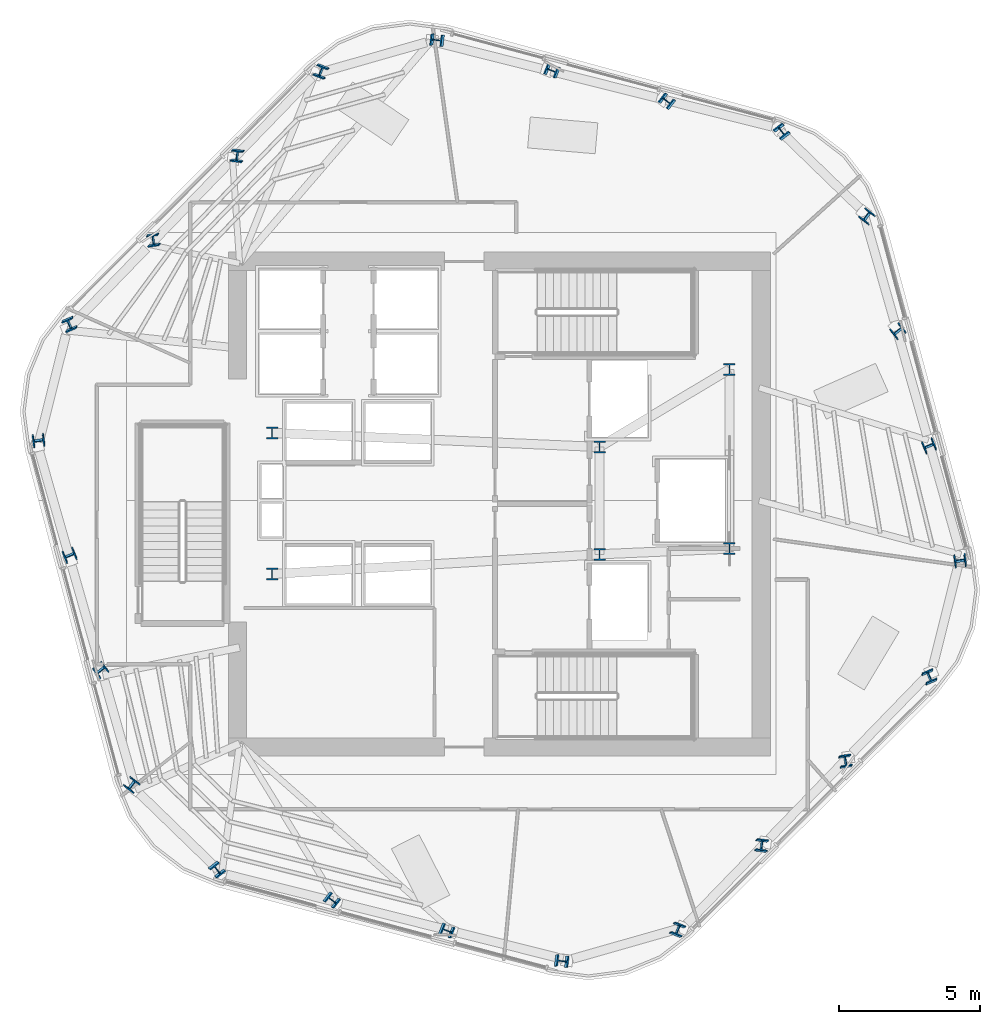
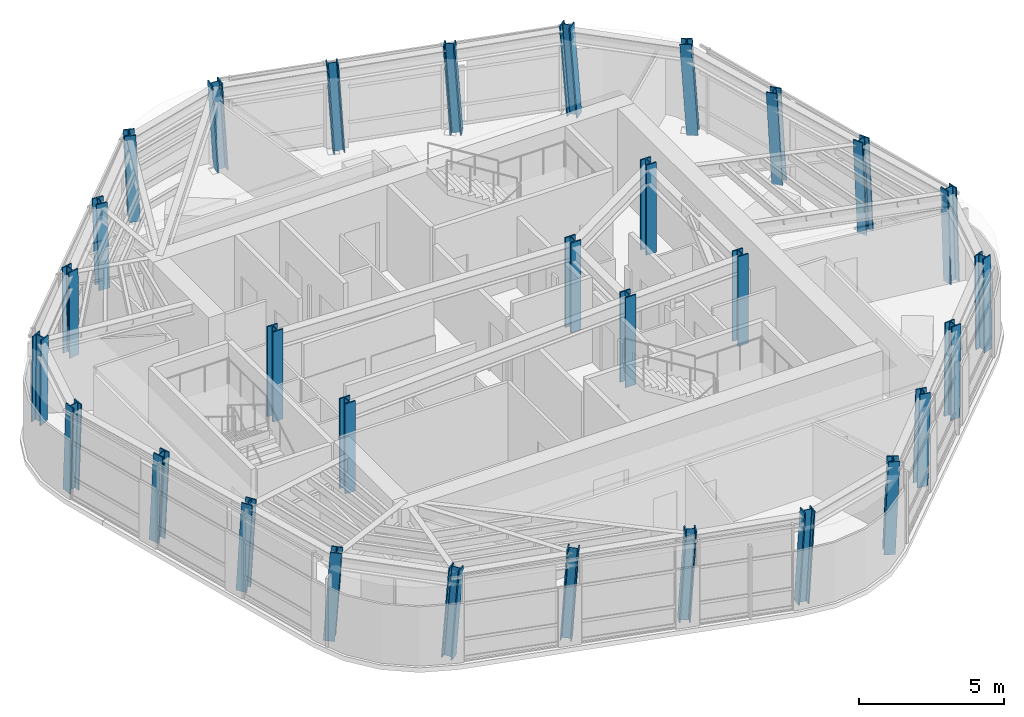
# One storey, part 1 of 13: 30 columns.
"""IFC4 building model written with IfcOpenShell, lengths in metres."""

from ifc_helpers import new_model, si_unit, direction, frame, origin, origin_2d, place, context, subcontext, project, spatial, i_section, extrude, material, material_profile, profile_set, type_object, element, save


model = new_model("IFC4")

# Units and contexts
model_context = context("Model", 3, precision=1e-05, world=origin(), true_north=direction((0.0, 1.0)))
body_context = subcontext(model_context, "Body", "Model", "MODEL_VIEW")
ifc_project = project(units=[si_unit("LENGTHUNIT", "METRE"), si_unit("AREAUNIT", "SQUARE_METRE"), si_unit("VOLUMEUNIT", "CUBIC_METRE"), si_unit("PLANEANGLEUNIT", "RADIAN"), si_unit("MASSUNIT", "GRAM", prefix="KILO")], contexts=[model_context])

# Site, building, storey
site_placement = place(None, origin())
site = spatial("IfcSite", under=ifc_project, at=site_placement, CompositionType="ELEMENT")
building_placement = place(site_placement, origin())
building = spatial("IfcBuilding", under=site, at=building_placement, Name="Valkerne Bourse Tower", CompositionType="ELEMENT")
storey_placement = place(building_placement, frame((0.0, 0.0, 217.0)))
storey = spatial("IfcBuildingStorey", under=building, at=storey_placement, Name="L55", CompositionType="ELEMENT", Elevation=217.0)

# Columns
ifc_material = material(Name="Steel ASTM A913 Grade 65", Category="steel")
ifc_material_profile_1 = material_profile(ifc_material, i_section(OverallWidth=0.40380859375, OverallDepth=0.406494140625, WebThickness=0.027099609375, FlangeThickness=0.043701171875, FilletRadius=0.025390625, at=origin_2d()), Name="W14X233")
ifc_profile_set_1 = profile_set([ifc_material_profile_1], Name="Steel ASTM A913 Grade 65")
column_type_1 = type_object("IfcColumnType", Name="COL-W14X233", PredefinedType="COLUMN", material=ifc_profile_set_1)
column_1_placement = place(storey_placement, frame((56.83642578125, 40.045654296875, 0.010009765625), z_axis=(-0.054370448673, 0.041164356282, 0.997671965168), x_axis=(0.788921923555, 0.614239907578, 0.017650339158)))
element("IfcColumn", 1, at=column_1_placement, inside=storey, type_object=column_type_1, Name="L55 Helical Perimeter Tube Column F1-C1", PredefinedType="COLUMN", context=body_context, shape_type="SweptSolid", body=[
    extrude(i_section(OverallWidth=0.40380859375, OverallDepth=0.406494140625, WebThickness=0.027099609375, FlangeThickness=0.043701171875, FilletRadius=0.025390625, at=origin_2d()), origin(), (0.0, 0.0, 1.0), 3.789794921875),
])
for number, where, z_axis, x_axis, name in (
    (2, (52.76806640625, 41.1357421875, 0.010009765625), (-0.058833124894, 0.024293634266, 0.997972185359), (0.60740259115, 0.79422332632, 0.016474228172), "L55 Helical Perimeter Tube Column F1-C2"),
    (3, (48.699462890625, 42.225830078125, 0.010009765625), (-0.063150833024, 0.007410556936, 0.997976480652), (0.369111061972, 0.929239580534, 0.016456788853), "L55 Helical Perimeter Tube Column F1-C3"),
):
    element("IfcColumn", number, at=place(storey_placement, frame(where, z_axis=z_axis, x_axis=x_axis)), inside=storey, type_object=column_type_1, Name=name, PredefinedType="COLUMN", context=body_context, shape_type="SweptSolid", body=[
        extrude(i_section(OverallWidth=0.40380859375, OverallDepth=0.406494140625, WebThickness=0.027099609375, FlangeThickness=0.043701171875, FilletRadius=0.025390625, at=origin_2d()), origin(), (0.0, 0.0, 1.0), 3.78857421875),
    ])
for number, where, z_axis, x_axis, name in (
    (4, (44.631103515625, 43.316162109375, 0.010009765625), (-0.067576309984, -0.009534121904, 0.997668553603), (0.120740510442, 0.992526946066, 0.017663251984), "L55 Helical Perimeter Tube Column F1-C4"),
    (5, (40.5205078125, 42.214599609375, 0.010009765625), (-0.062873666818, -0.026540933124, 0.997668522551), (-0.924918656457, 0.37708980281, -0.048257222828), "L55 Helical Perimeter Tube Column F2-C1"),
):
    element("IfcColumn", number, at=place(storey_placement, frame(where, z_axis=z_axis, x_axis=x_axis)), inside=storey, type_object=column_type_1, Name=name, PredefinedType="COLUMN", context=body_context, shape_type="SweptSolid", body=[
        extrude(i_section(OverallWidth=0.40380859375, OverallDepth=0.406494140625, WebThickness=0.027099609375, FlangeThickness=0.043701171875, FilletRadius=0.025390625, at=origin_2d()), origin(), (0.0, 0.0, 1.0), 3.789794921875),
    ])
for number, where, z_axis, x_axis, name in (
    (6, (37.5419921875, 39.236328125, 0.010009765625), (-0.050391755467, -0.038792630167, 0.997975852827), (-0.990514138102, 0.129844690427, -0.044967750524), "L55 Helical Perimeter Tube Column F2-C2"),
    (7, (34.563720703125, 36.258056640625, 0.010009765625), (-0.03795489531, -0.051036124084, 0.997975320316), (-0.988513882525, -0.144283311699, -0.044973659177), "L55 Helical Perimeter Tube Column F2-C3"),
):
    element("IfcColumn", number, at=place(storey_placement, frame(where, z_axis=z_axis, x_axis=x_axis)), inside=storey, type_object=column_type_1, Name=name, PredefinedType="COLUMN", context=body_context, shape_type="SweptSolid", body=[
        extrude(i_section(OverallWidth=0.40380859375, OverallDepth=0.406494140625, WebThickness=0.027099609375, FlangeThickness=0.043701171875, FilletRadius=0.025390625, at=origin_2d()), origin(), (0.0, 0.0, 1.0), 3.78857421875),
    ])
for number, where, z_axis, x_axis, name in (
    (8, (31.58544921875, 33.279541015625, 0.010009765625), (-0.025574657552, -0.06326023606, 0.997669323686), (-0.919971360039, -0.389004802568, -0.048248940793), "L55 Helical Perimeter Tube Column F2-C4"),
    (9, (30.48388671875, 29.1689453125, 0.010009765625), (-0.008438995788, -0.067705225753, 0.997669677677), (0.137638473853, -0.988287547476, -0.065904279223), "L55 Helical Perimeter Tube Column F3-C1"),
):
    element("IfcColumn", number, at=place(storey_placement, frame(where, z_axis=z_axis, x_axis=x_axis)), inside=storey, type_object=column_type_1, Name=name, PredefinedType="COLUMN", context=body_context, shape_type="SweptSolid", body=[
        extrude(i_section(OverallWidth=0.40380859375, OverallDepth=0.406494140625, WebThickness=0.027099609375, FlangeThickness=0.043701171875, FilletRadius=0.025390625, at=origin_2d()), origin(), (0.0, 0.0, 1.0), 3.789794921875),
    ])
for number, where, z_axis, x_axis, name in (
    (10, (31.57421875, 25.1005859375, 0.010009765625), (0.008312686548, -0.063086202558, 0.997973461716), (0.382531790003, -0.921895704224, -0.061463323778), "L55 Helical Perimeter Tube Column F3-C2"),
    (11, (32.664306640625, 21.031982421875, 0.010009765625), (0.025195888771, -0.058382289582, 0.997976290025), (0.619599427077, -0.782511390847, -0.061420462071), "L55 Helical Perimeter Tube Column F3-C3"),
):
    element("IfcColumn", number, at=place(storey_placement, frame(where, z_axis=z_axis, x_axis=x_axis)), inside=storey, type_object=column_type_1, Name=name, PredefinedType="COLUMN", context=body_context, shape_type="SweptSolid", body=[
        extrude(i_section(OverallWidth=0.40380859375, OverallDepth=0.406494140625, WebThickness=0.027099609375, FlangeThickness=0.043701171875, FilletRadius=0.025390625, at=origin_2d()), origin(), (0.0, 0.0, 1.0), 3.78857421875),
    ])
for number, where, z_axis, x_axis, name in (
    (12, (33.75439453125, 16.963623046875, 0.010009765625), (0.042001815538, -0.05372624871, 0.997671958958), (0.797433168727, -0.599800978999, -0.065872050268), "L55 Helical Perimeter Tube Column F3-C4"),
    (13, (36.763671875, 13.954345703125, 0.010009765625), (0.054370448673, -0.041164356282, 0.997671965168), (0.788921923555, 0.614239907578, -0.017650339158), "L55 Helical Perimeter Tube Column F4-C1"),
):
    element("IfcColumn", number, at=place(storey_placement, frame(where, z_axis=z_axis, x_axis=x_axis)), inside=storey, type_object=column_type_1, Name=name, PredefinedType="COLUMN", context=body_context, shape_type="SweptSolid", body=[
        extrude(i_section(OverallWidth=0.40380859375, OverallDepth=0.406494140625, WebThickness=0.027099609375, FlangeThickness=0.043701171875, FilletRadius=0.025390625, at=origin_2d()), origin(), (0.0, 0.0, 1.0), 3.789794921875),
    ])
for number, where, z_axis, x_axis, name in (
    (14, (40.83203125, 12.8642578125, 0.010009765625), (0.058768908227, -0.024293726318, 0.997975966788), (0.607710617594, 0.793987978913, -0.016458876167), "L55 Helical Perimeter Tube Column F4-C2"),
    (15, (44.900390625, 11.774169921875, 0.010009765625), (0.06321501527, -0.007410526765, 0.997972417423), (0.369000367876, 0.929283250329, -0.01647328644), "L55 Helical Perimeter Tube Column F4-C3"),
):
    element("IfcColumn", number, at=place(storey_placement, frame(where, z_axis=z_axis, x_axis=x_axis)), inside=storey, type_object=column_type_1, Name=name, PredefinedType="COLUMN", context=body_context, shape_type="SweptSolid", body=[
        extrude(i_section(OverallWidth=0.40380859375, OverallDepth=0.406494140625, WebThickness=0.027099609375, FlangeThickness=0.043701171875, FilletRadius=0.025390625, at=origin_2d()), origin(), (0.0, 0.0, 1.0), 3.78857421875),
    ])
for number, where, z_axis, x_axis, name in (
    (16, (48.968994140625, 10.683837890625, 0.010009765625), (0.067576309984, 0.009534121904, 0.997668553603), (0.120740510442, 0.992526946066, -0.017663251984), "L55 Helical Perimeter Tube Column F4-C4"),
    (17, (53.07958984375, 11.785400390625, 0.010009765625), (0.062873666818, 0.026540933124, 0.997668522551), (-0.924918656457, 0.37708980281, 0.048257222828), "L55 Helical Perimeter Tube Column F5-C1"),
):
    element("IfcColumn", number, at=place(storey_placement, frame(where, z_axis=z_axis, x_axis=x_axis)), inside=storey, type_object=column_type_1, Name=name, PredefinedType="COLUMN", context=body_context, shape_type="SweptSolid", body=[
        extrude(i_section(OverallWidth=0.40380859375, OverallDepth=0.406494140625, WebThickness=0.027099609375, FlangeThickness=0.043701171875, FilletRadius=0.025390625, at=origin_2d()), origin(), (0.0, 0.0, 1.0), 3.789794921875),
    ])
for number, where, z_axis, x_axis, name in (
    (18, (56.05810546875, 14.763671875, 0.010009765625), (0.050391755467, 0.038792630167, 0.997975852827), (-0.990514138102, 0.129844690427, 0.044967750524), "L55 Helical Perimeter Tube Column F5-C2"),
    (19, (59.036376953125, 17.741943359375, 0.010009765625), (0.03795489531, 0.051036124084, 0.997975320316), (-0.988513882525, -0.144283311699, 0.044973659177), "L55 Helical Perimeter Tube Column F5-C3"),
):
    element("IfcColumn", number, at=place(storey_placement, frame(where, z_axis=z_axis, x_axis=x_axis)), inside=storey, type_object=column_type_1, Name=name, PredefinedType="COLUMN", context=body_context, shape_type="SweptSolid", body=[
        extrude(i_section(OverallWidth=0.40380859375, OverallDepth=0.406494140625, WebThickness=0.027099609375, FlangeThickness=0.043701171875, FilletRadius=0.025390625, at=origin_2d()), origin(), (0.0, 0.0, 1.0), 3.78857421875),
    ])
for number, where, z_axis, x_axis, name in (
    (20, (62.0146484375, 20.720458984375, 0.010009765625), (0.025510279735, 0.063260340151, 0.997670965295), (-0.919630834916, -0.389811242742, 0.048231965584), "L55 Helical Perimeter Tube Column F5-C4"),
    (21, (63.1162109375, 24.8310546875, 0.010009765625), (0.008438995788, 0.067705225753, 0.997669677677), (0.137638473853, -0.988287547476, 0.065904279223), "L55 Helical Perimeter Tube Column F6-C1"),
):
    element("IfcColumn", number, at=place(storey_placement, frame(where, z_axis=z_axis, x_axis=x_axis)), inside=storey, type_object=column_type_1, Name=name, PredefinedType="COLUMN", context=body_context, shape_type="SweptSolid", body=[
        extrude(i_section(OverallWidth=0.40380859375, OverallDepth=0.406494140625, WebThickness=0.027099609375, FlangeThickness=0.043701171875, FilletRadius=0.025390625, at=origin_2d()), origin(), (0.0, 0.0, 1.0), 3.789794921875),
    ])
for number, where, z_axis, x_axis, name in (
    (22, (62.02587890625, 28.8994140625, 0.010009765625), (-0.008377121473, 0.063086168634, 0.997972925065), (0.383457006105, -0.921510707981, 0.061471453084), "L55 Helical Perimeter Tube Column F6-C2"),
    (23, (60.935791015625, 32.968017578125, 0.010009765625), (-0.025195888771, 0.058382289582, 0.997976290025), (0.619599427077, -0.782511390847, 0.061420462071), "L55 Helical Perimeter Tube Column F6-C3"),
):
    element("IfcColumn", number, at=place(storey_placement, frame(where, z_axis=z_axis, x_axis=x_axis)), inside=storey, type_object=column_type_1, Name=name, PredefinedType="COLUMN", context=body_context, shape_type="SweptSolid", body=[
        extrude(i_section(OverallWidth=0.40380859375, OverallDepth=0.406494140625, WebThickness=0.027099609375, FlangeThickness=0.043701171875, FilletRadius=0.025390625, at=origin_2d()), origin(), (0.0, 0.0, 1.0), 3.78857421875),
    ])
column_2_placement = place(storey_placement, frame((59.845703125, 37.036376953125, 0.010009765625), z_axis=(-0.042066121593, 0.053726103229, 0.997669257443), x_axis=(0.797877454259, -0.599205650528, 0.065910214384)))
element("IfcColumn", 24, at=column_2_placement, inside=storey, type_object=column_type_1, Name="L55 Helical Perimeter Tube Column F6-C4", PredefinedType="COLUMN", context=body_context, shape_type="SweptSolid", body=[
    extrude(i_section(OverallWidth=0.40380859375, OverallDepth=0.406494140625, WebThickness=0.027099609375, FlangeThickness=0.043701171875, FilletRadius=0.025390625, at=origin_2d()), origin(), (0.0, 0.0, 1.0), 3.789794921875),
])
ifc_material_profile_2 = material_profile(ifc_material, i_section(OverallWidth=0.408935546875, OverallDepth=0.42431640625, WebThickness=0.03271484375, FlangeThickness=0.052490234375, FilletRadius=0.025390625, at=origin_2d()), Name="W14X283")
ifc_profile_set_2 = profile_set([ifc_material_profile_2], Name="Steel ASTM A913 Grade 65")
column_type_2 = type_object("IfcColumnType", Name="COL-W14X283", PredefinedType="COLUMN", material=ifc_profile_set_2)
for number, where, z_axis, x_axis, name in (
    (25, (38.75, 24.39990234375, 0.0048828125), (0.0, 0.0, 1.0), (1.0, 0.0, 0.0), "L55 Core Frame Column CC-SW"),
    (26, (38.75, 29.39990234375, 0.0048828125), (0.0, 0.0, 1.0), (1.0, 0.0, 0.0), "L55 Core Frame Column CC-NW"),
    (27, (50.35009765625, 25.10009765625, 0.0048828125), (0.0, 0.0, 1.0), (1.0, 0.0, 0.0), "L55 Core Frame Column CC-CE1"),
    (28, (50.35009765625, 28.89990234375, 0.0048828125), (0.0, 0.0, 1.0), (1.0, 0.0, 0.0), "L55 Core Frame Column CC-CE2"),
    (29, (54.949951171875, 25.300048828125, 0.0048828125), (0.0, 0.0, 1.0), (1.0, 0.0, 0.0), "L55 Core Frame Column CC-SE"),
    (30, (54.949951171875, 31.64990234375, 0.0048828125), (0.0, 0.0, 1.0), (1.0, 0.0, 0.0), "L55 Core Frame Column CC-NE"),
):
    element("IfcColumn", number, at=place(storey_placement, frame(where, z_axis=z_axis, x_axis=x_axis)), inside=storey, type_object=column_type_2, Name=name, PredefinedType="COLUMN", context=body_context, shape_type="SweptSolid", body=[
        extrude(i_section(OverallWidth=0.408935546875, OverallDepth=0.42431640625, WebThickness=0.03271484375, FlangeThickness=0.052490234375, FilletRadius=0.025390625, at=origin_2d()), origin(), (0.0, 0.0, 1.0), 3.795166015625),
    ])

save(model, "model.ifc")
